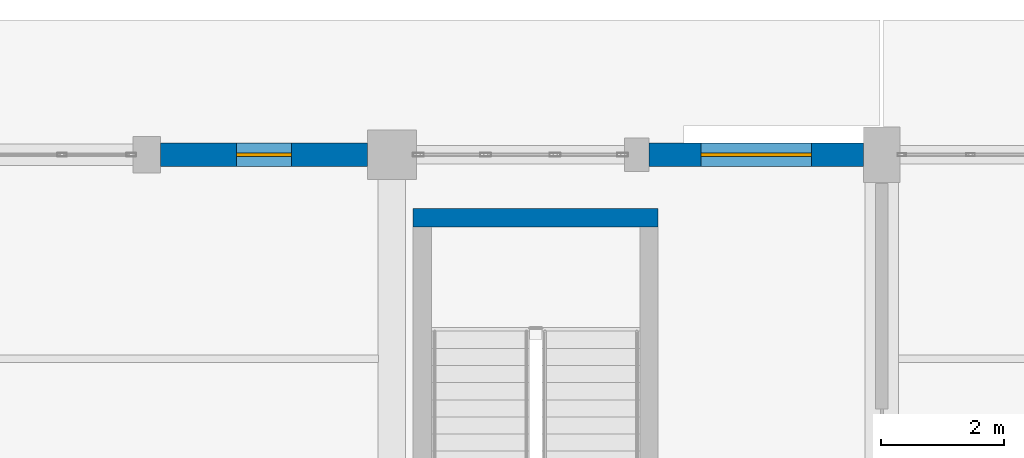
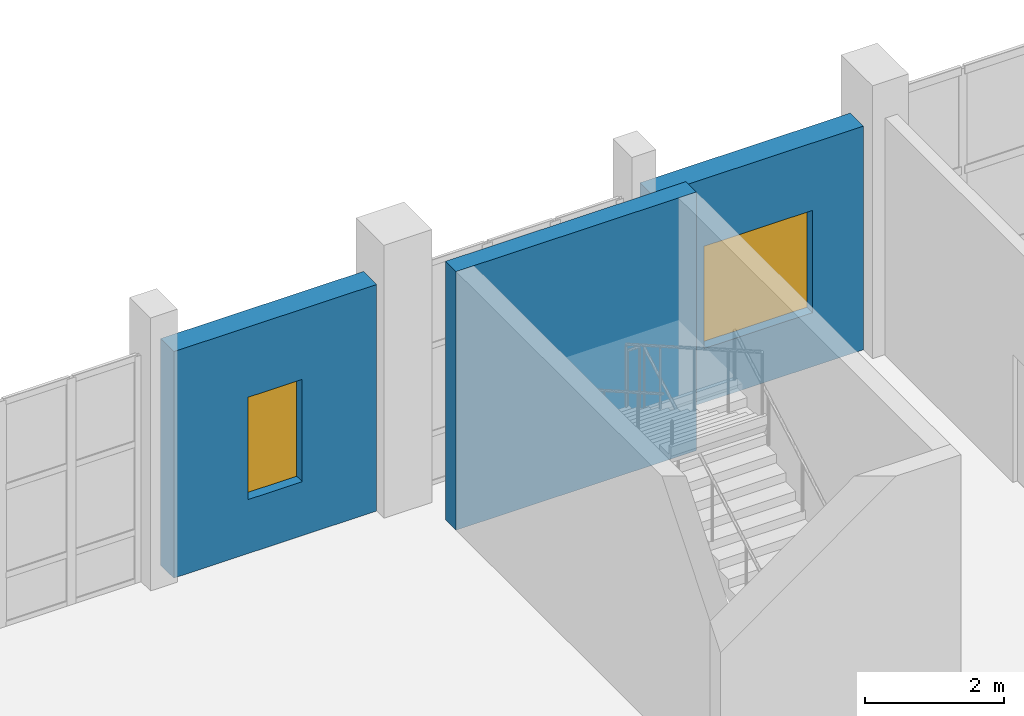
# One storey, part 127 of 156: 3 walls, 2 windows, 2 openings.
"""IFC4 building model written with IfcOpenShell, lengths in metres."""

from ifc_helpers import new_model, si_unit, direction, frame, frame_2d, origin, place, context, subcontext, project, spatial, rectangle, extrude, material, layer, layer_set, type_object, element, fill, save


model = new_model("IFC4")

# Units and contexts
model_context = context("Model", 3, precision=1e-05, world=origin(), true_north=direction((0.0, 1.0)))
body_context = subcontext(model_context, "Body", "Model", "MODEL_VIEW")
ifc_project = project(units=[si_unit("LENGTHUNIT", "METRE"), si_unit("AREAUNIT", "SQUARE_METRE"), si_unit("VOLUMEUNIT", "CUBIC_METRE"), si_unit("PLANEANGLEUNIT", "RADIAN"), si_unit("MASSUNIT", "GRAM", prefix="KILO")], contexts=[model_context])

# Site, building, storey
site_placement = place(None, origin())
site = spatial("IfcSite", under=ifc_project, at=site_placement, CompositionType="ELEMENT")
building_placement = place(site_placement, origin())
building = spatial("IfcBuilding", under=site, at=building_placement, Name="Luwemba Playhouse", CompositionType="ELEMENT")
storey_placement = place(building_placement, origin())
storey = spatial("IfcBuildingStorey", under=building, at=storey_placement, Name="L00", CompositionType="ELEMENT", Elevation=0.0)

# Wall, opening, window
ifc_material_1 = material(Name="Clay facing brick obra vista masonry", Category="masonry")
ifc_layer_1 = layer(ifc_material_1, 0.3798828125)
ifc_layer_set_1 = layer_set([ifc_layer_1], Name="Clay facing brick obra vista masonry")
wall_type_1 = type_object("IfcWallType", Name="WAL-BRK-380", PredefinedType="SOLIDWALL", material=ifc_layer_set_1)
wall_1_placement = place(storey_placement, frame((120.22509765625, 115.0, 0.0), z_axis=(0.0, 0.0, 1.0), x_axis=(1.0, 0.0, 0.0)))
wall_1 = element("IfcWall", 1, at=wall_1_placement, inside=storey, type_object=wall_type_1, Name="L00 V6E exterior facade wall 0114", PredefinedType="SOLIDWALL", context=body_context, shape_type="SweptSolid", body=[
    extrude(rectangle(XDim=3.375, YDim=0.3798828125, at=frame_2d((1.6875, 0.0))), origin(), (0.0, 0.0, 1.0), 3.985107421875),
])
opening_1_placement = place(wall_1_placement, frame((1.237548828125, 0.0, 0.949951171875)))
opening_1 = element("IfcOpeningElement", 2, at=opening_1_placement, cuts=wall_1, Name="Opening WN-18", PredefinedType="OPENING", context=body_context, shape_type="SweptSolid", body=[
    extrude(rectangle(XDim=0.89990234375, YDim=1.800048828125, at=frame_2d((0.449951171875, 0.89990234375))), frame((0.0, 0.199951171875, 0.0), z_axis=(0.0, -1.0, 0.0), x_axis=(1.0, 0.0, 0.0)), (0.0, 0.0, 1.0), 0.39990234375),
])
ifc_material_2 = material(Name="Solar-control double glazing in aluminium frame", Category="aluminium")
window_type_1 = type_object("IfcWindowType", Name="WIN-WN-18", PartitioningType="SINGLE_PANEL", PredefinedType="WINDOW", material=ifc_material_2)
window_1_placement = place(opening_1_placement, origin())
window_1 = element("IfcWindow", 3, at=window_1_placement, inside=storey, type_object=window_type_1, Name="L00 V6E scheduled window 0073", OverallHeight=1.800048828125, OverallWidth=0.89990234375, PartitioningType="SINGLE_PANEL", PredefinedType="WINDOW", context=body_context, shape_type="SweptSolid", body=[
    extrude(rectangle(XDim=0.89990234375, YDim=1.800048828125, at=frame_2d((0.449951171875, 0.89990234375))), frame((0.0, 0.030029296875, 0.0), z_axis=(0.0, -1.0, 0.0), x_axis=(1.0, 0.0, 0.0)), (0.0, 0.0, 1.0), 0.06005859375),
])
fill(opening_1, window_1)

wall_2_placement = place(storey_placement, frame((128.199951171875, 115.0, 0.0), z_axis=(0.0, 0.0, 1.0), x_axis=(1.0, 0.0, 0.0)))
wall_2 = element("IfcWall", 4, at=wall_2_placement, inside=storey, type_object=wall_type_1, Name="L00 V6E exterior facade wall 0115", PredefinedType="SOLIDWALL", context=body_context, shape_type="SweptSolid", body=[
    extrude(rectangle(XDim=3.5, YDim=0.3798828125, at=frame_2d((1.75, 0.0))), origin(), (0.0, 0.0, 1.0), 3.93505859375),
])
opening_2_placement = place(wall_2_placement, frame((0.85009765625, 0.0, 0.949951171875)))
opening_2 = element("IfcOpeningElement", 5, at=opening_2_placement, cuts=wall_2, Name="Opening WN-04", PredefinedType="OPENING", context=body_context, shape_type="SweptSolid", body=[
    extrude(rectangle(XDim=1.800048828125, YDim=1.800048828125, at=frame_2d((0.89990234375, 0.89990234375))), frame((0.0, 0.199951171875, 0.0), z_axis=(0.0, -1.0, 0.0), x_axis=(1.0, 0.0, 0.0)), (0.0, 0.0, 1.0), 0.39990234375),
])
window_type_2 = type_object("IfcWindowType", Name="WIN-WN-04", PartitioningType="DOUBLE_PANEL_VERTICAL", PredefinedType="WINDOW", material=ifc_material_2)
window_2_placement = place(opening_2_placement, origin())
window_2 = element("IfcWindow", 6, at=window_2_placement, inside=storey, type_object=window_type_2, Name="L00 V6E scheduled window 0074", OverallHeight=1.800048828125, OverallWidth=1.800048828125, PartitioningType="DOUBLE_PANEL_VERTICAL", PredefinedType="WINDOW", context=body_context, shape_type="SweptSolid", body=[
    extrude(rectangle(XDim=1.800048828125, YDim=1.800048828125, at=frame_2d((0.89990234375, 0.89990234375))), frame((0.0, 0.030029296875, 0.0), z_axis=(0.0, -1.0, 0.0), x_axis=(1.0, 0.0, 0.0)), (0.0, 0.0, 1.0), 0.06005859375),
])
fill(opening_2, window_2)

# Wall
ifc_material_3 = material(Name="Concrete C40/50", Category="concrete")
ifc_layer_2 = layer(ifc_material_3, 0.300048828125)
ifc_layer_set_2 = layer_set([ifc_layer_2], Name="Concrete C40/50")
wall_type_2 = type_object("IfcWallType", Name="WAL-CORE-300", PredefinedType="SHEAR", material=ifc_layer_set_2)
wall_3_placement = place(storey_placement, frame((128.35009765625, 113.969970703125, 0.0), z_axis=(0.0, 0.0, 1.0), x_axis=(-1.0, 0.0, 0.0)))
element("IfcWall", 7, at=wall_3_placement, inside=storey, type_object=wall_type_2, Name="L00 ST-16 stair core wall N", PredefinedType="SHEAR", context=body_context, shape_type="SweptSolid", body=[
    extrude(rectangle(XDim=4.0, YDim=0.300048828125, at=frame_2d((2.0, 0.0))), origin(), (0.0, 0.0, 1.0), 4.550048828125),
])

save(model, "model.ifc")
